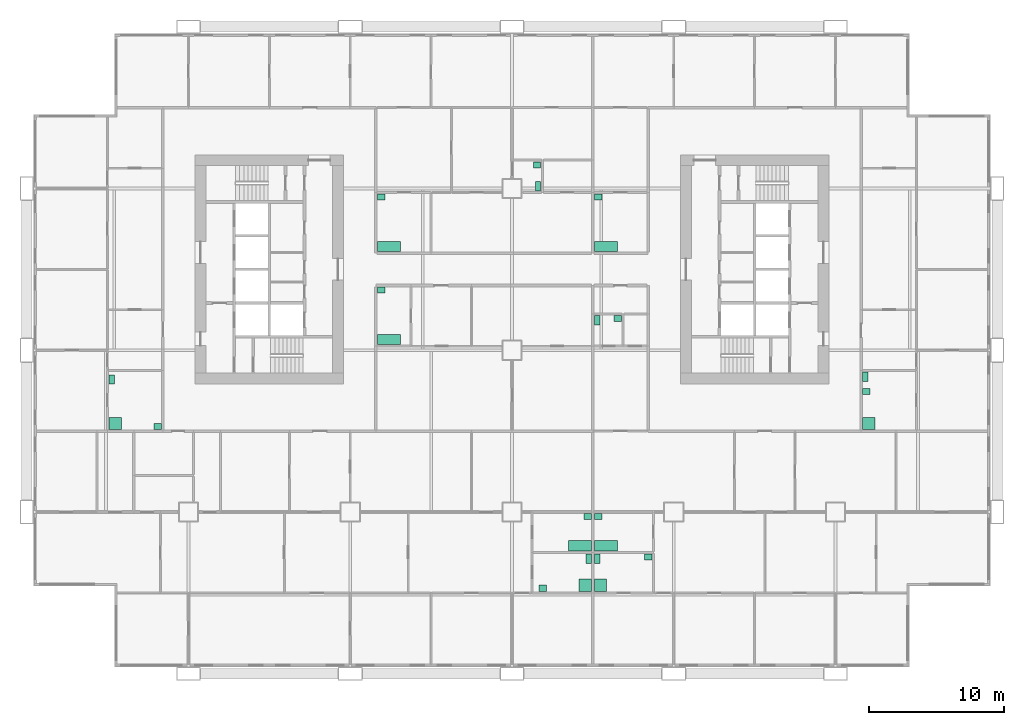
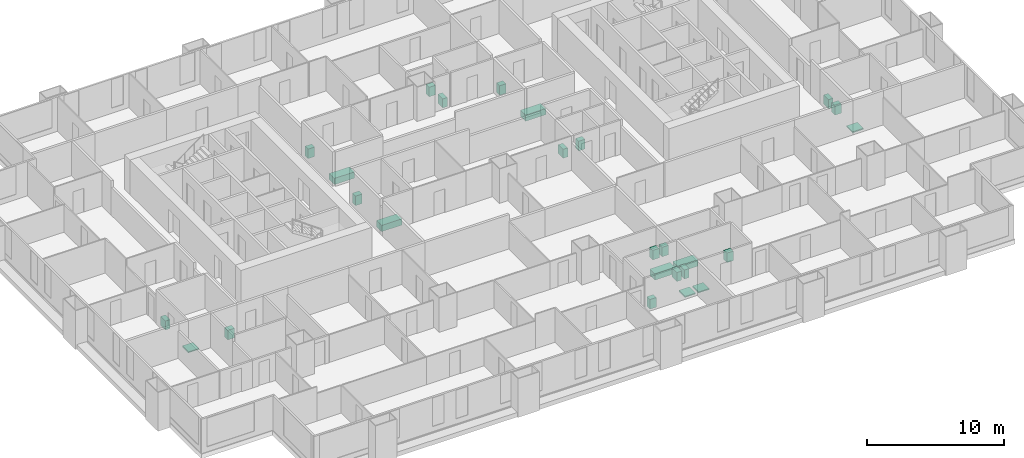
# One storey, part 14 of 14: 26 sanitary terminals.
"""IFC4 building model written with IfcOpenShell, lengths in metres."""

from ifc_helpers import new_model, si_unit, direction, frame, origin, origin_2d, place, context, subcontext, project, spatial, rectangle, extrude, material, type_object, element, save


model = new_model("IFC4")

# Units and contexts
model_context = context("Model", 3, precision=1e-05, world=origin(), true_north=direction((0.0, 1.0)))
body_context = subcontext(model_context, "Body", "Model", "MODEL_VIEW")
ifc_project = project(units=[si_unit("LENGTHUNIT", "METRE"), si_unit("AREAUNIT", "SQUARE_METRE"), si_unit("VOLUMEUNIT", "CUBIC_METRE"), si_unit("PLANEANGLEUNIT", "RADIAN"), si_unit("MASSUNIT", "GRAM", prefix="KILO")], contexts=[model_context])

# Site, building, storey
site_placement = place(None, origin())
site = spatial("IfcSite", under=ifc_project, at=site_placement, CompositionType="ELEMENT")
building_placement = place(site_placement, origin())
building = spatial("IfcBuilding", under=site, at=building_placement, Name="Kitamizu Gate Tower and Museum", CompositionType="ELEMENT")
storey_placement = place(building_placement, frame((0.0, 0.0, 54.14990234375)))
storey = spatial("IfcBuildingStorey", under=building, at=storey_placement, Name="L12", CompositionType="ELEMENT", Elevation=54.14990234375)

# Sanitary terminals
ifc_material_1 = material(Name="Acrylic")
sanitary_terminal_type_1 = type_object("IfcSanitaryTerminalType", Name="Bath", PredefinedType="BATH", material=ifc_material_1)
for number, where, z_axis, x_axis, name in (
    (1, (41.030029296875, 9.4951171875, 0.0009765625), (0.0, 0.0, 1.0), (1.0, 0.0, 0.0), "Bath Bathroom 12A"),
    (2, (26.8701171875, 24.794921875, 0.0009765625), (0.0, 0.0, 1.0), (1.0, 0.0, 0.0), "Bath Bathroom and WC 12B"),
    (3, (42.969970703125, 9.4951171875, 0.0009765625), (0.0, 0.0, 1.0), (1.0, 0.0, 0.0), "Bath Bathroom 12C"),
    (4, (26.8701171875, 31.695068359375, 0.0009765625), (0.0, 0.0, 1.0), (1.0, 0.0, 0.0), "Bath Bathroom 12D"),
    (5, (42.969970703125, 31.695068359375, 0.0009765625), (0.0, 0.0, 1.0), (1.0, 0.0, 0.0), "Bath Bathroom and WC 12F"),
):
    element("IfcSanitaryTerminal", number, at=place(storey_placement, frame(where, z_axis=z_axis, x_axis=x_axis)), inside=storey, type_object=sanitary_terminal_type_1, Name=name, PredefinedType="BATH", context=body_context, shape_type="SweptSolid", body=[
        extrude(rectangle(XDim=1.699951171875, YDim=0.75, at=origin_2d()), origin(), (0.0, 0.0, 1.0), 0.550048828125),
    ])
ifc_material_2 = material(Name="Acrylic")
sanitary_terminal_type_2 = type_object("IfcSanitaryTerminalType", Name="Shower tray", PredefinedType="SHOWER", material=ifc_material_2)
for number, where, z_axis, x_axis, name in (
    (6, (41.429931640625, 6.570068359375, 0.0009765625), (0.0, 0.0, 1.0), (1.0, 0.0, 0.0), "Shower tray En-suite bathroom and WC 12A"),
    (7, (42.570068359375, 6.570068359375, 0.0009765625), (0.0, 0.0, 1.0), (1.0, 0.0, 0.0), "Shower tray En-suite bathroom 12C"),
    (8, (6.570068359375, 18.570068359375, 0.0009765625), (0.0, 0.0, 1.0), (1.0, 0.0, 0.0), "Shower tray En-suite bathroom and WC 12E"),
    (9, (62.469970703125, 18.570068359375, 0.0009765625), (0.0, 0.0, 1.0), (1.0, 0.0, 0.0), "Shower tray En-suite bathroom and WC 12G"),
):
    element("IfcSanitaryTerminal", number, at=place(storey_placement, frame(where, z_axis=z_axis, x_axis=x_axis)), inside=storey, type_object=sanitary_terminal_type_2, Name=name, PredefinedType="SHOWER", context=body_context, shape_type="SweptSolid", body=[
        extrude(rectangle(XDim=0.89990234375, YDim=0.89990234375, at=origin_2d()), origin(), (0.0, 0.0, 1.0), 0.10009765625),
    ])
ifc_material_3 = material(Name="Vitreous china")
sanitary_terminal_type_3 = type_object("IfcSanitaryTerminalType", Name="Wash hand basin", PredefinedType="WASHHANDBASIN", material=ifc_material_3)
for number, where, z_axis, x_axis, name in (
    (10, (38.294921875, 6.344970703125, 0.0009765625), (0.0, 0.0, 1.0), (1.0, 0.0, 0.0), "Wash hand basin En-suite bathroom and WC 12A"),
    (11, (41.60498046875, 11.655029296875, 0.0009765625), (0.0, 0.0, 1.0), (1.0, 0.0, 0.0), "Wash hand basin Bathroom 12A"),
    (12, (26.294921875, 28.455078125, 0.0009765625), (0.0, 0.0, 1.0), (1.0, 0.0, 0.0), "Wash hand basin Bathroom and WC 12B"),
    (13, (46.10498046875, 8.655029296875, 0.0009765625), (0.0, 0.0, 1.0), (1.0, 0.0, 0.0), "Wash hand basin En-suite bathroom 12C"),
    (14, (42.39501953125, 11.655029296875, 0.0009765625), (0.0, 0.0, 1.0), (1.0, 0.0, 0.0), "Wash hand basin Bathroom 12C"),
    (15, (43.85498046875, 26.35498046875, 0.0009765625), (0.0, 0.0, 1.0), (1.0, 0.0, 0.0), "Wash hand basin WC 12C"),
    (16, (37.85498046875, 37.7548828125, 0.0009765625), (0.0, 0.0, 1.0), (1.0, 0.0, 0.0), "Wash hand basin WC 12D"),
    (17, (26.294921875, 35.35498046875, 0.0009765625), (0.0, 0.0, 1.0), (1.0, 0.0, 0.0), "Wash hand basin Bathroom 12D"),
    (18, (9.705078125, 18.344970703125, 0.0009765625), (0.0, 0.0, 1.0), (1.0, 0.0, 0.0), "Wash hand basin En-suite bathroom and WC 12E"),
    (19, (42.39501953125, 35.35498046875, 0.0009765625), (0.0, 0.0, 1.0), (1.0, 0.0, 0.0), "Wash hand basin Bathroom and WC 12F"),
    (20, (62.294921875, 20.955078125, 0.0009765625), (0.0, 0.0, 1.0), (1.0, 0.0, 0.0), "Wash hand basin En-suite bathroom and WC 12G"),
):
    element("IfcSanitaryTerminal", number, at=place(storey_placement, frame(where, z_axis=z_axis, x_axis=x_axis)), inside=storey, type_object=sanitary_terminal_type_3, Name=name, PredefinedType="WASHHANDBASIN", context=body_context, shape_type="SweptSolid", body=[
        extrude(rectangle(XDim=0.550048828125, YDim=0.449951171875, at=origin_2d()), origin(), (0.0, 0.0, 1.0), 0.85009765625),
    ])
ifc_material_4 = material(Name="Vitreous china")
sanitary_terminal_type_4 = type_object("IfcSanitaryTerminalType", Name="Water closet", PredefinedType="TOILETPAN", material=ifc_material_4)
for number, where, z_axis, x_axis, name in (
    (21, (41.679931640625, 8.530029296875, 0.0009765625), (0.0, 0.0, 1.0), (1.0, 0.0, 0.0), "Water closet En-suite bathroom and WC 12A"),
    (22, (42.320068359375, 8.530029296875, 0.0009765625), (0.0, 0.0, 1.0), (1.0, 0.0, 0.0), "Water closet En-suite bathroom 12C"),
    (23, (42.320068359375, 26.22998046875, 0.0009765625), (0.0, 0.0, 1.0), (1.0, 0.0, 0.0), "Water closet WC 12C"),
    (24, (37.929931640625, 36.169921875, 0.0009765625), (0.0, 0.0, 1.0), (1.0, 0.0, 0.0), "Water closet WC 12D"),
    (25, (6.320068359375, 21.830078125, 0.0009765625), (0.0, 0.0, 1.0), (1.0, 0.0, 0.0), "Water closet En-suite bathroom and WC 12E"),
    (26, (62.219970703125, 22.030029296875, 0.0009765625), (0.0, 0.0, 1.0), (1.0, 0.0, 0.0), "Water closet En-suite bathroom and WC 12G"),
):
    element("IfcSanitaryTerminal", number, at=place(storey_placement, frame(where, z_axis=z_axis, x_axis=x_axis)), inside=storey, type_object=sanitary_terminal_type_4, Name=name, PredefinedType="TOILETPAN", context=body_context, shape_type="SweptSolid", body=[
        extrude(rectangle(XDim=0.39990234375, YDim=0.699951171875, at=origin_2d()), origin(), (0.0, 0.0, 1.0), 0.800048828125),
    ])

save(model, "model.ifc")
